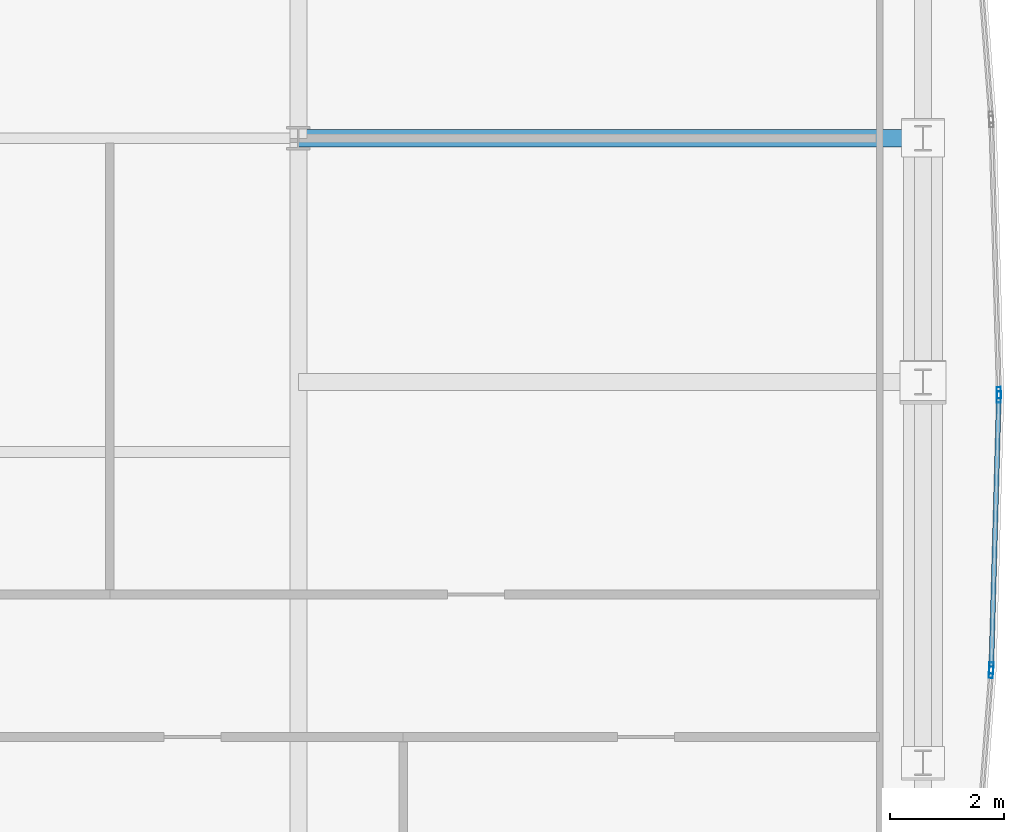
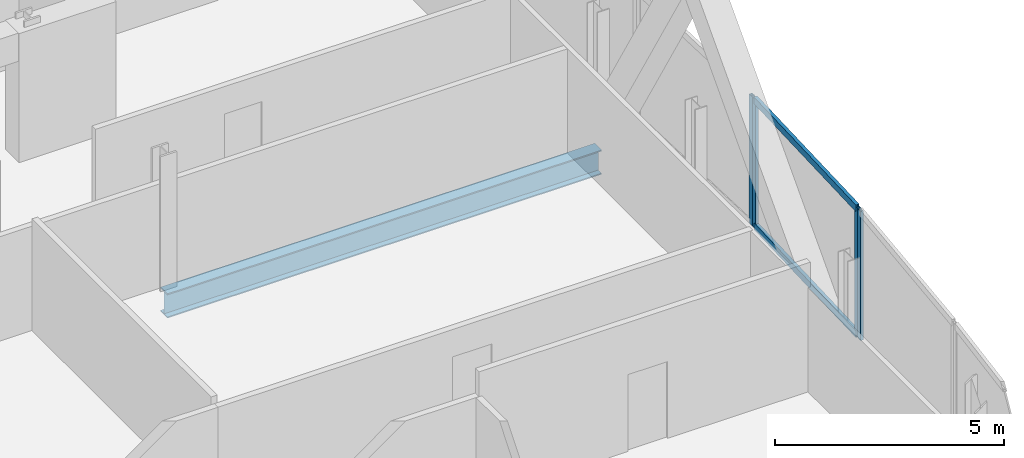
# One storey, part 20 of 32: 6 members, 1 beam, 3 elements without a shape of their own.
"""IFC4 building model written with IfcOpenShell, lengths in metres."""

from ifc_helpers import new_model, si_unit, direction, frame, origin, origin_2d, place, context, subcontext, project, spatial, hollow_rectangle, i_section, extrude, material, material_profile, profile_set, type_object, element, aggregate, save


model = new_model("IFC4")

# Units and contexts
model_context = context("Model", 3, precision=1e-05, world=origin(), true_north=direction((0.0, 1.0)))
body_context = subcontext(model_context, "Body", "Model", "MODEL_VIEW")
ifc_project = project(units=[si_unit("LENGTHUNIT", "METRE"), si_unit("AREAUNIT", "SQUARE_METRE"), si_unit("VOLUMEUNIT", "CUBIC_METRE"), si_unit("PLANEANGLEUNIT", "RADIAN"), si_unit("MASSUNIT", "GRAM", prefix="KILO")], contexts=[model_context])

# Site, building, storey
site_placement = place(None, origin())
site = spatial("IfcSite", under=ifc_project, at=site_placement, CompositionType="ELEMENT")
building_placement = place(site_placement, origin())
building = spatial("IfcBuilding", under=site, at=building_placement, Name="Khoronbel Lancet Exchange", CompositionType="ELEMENT")
storey_placement = place(building_placement, frame((0.0, 0.0, 231.800048828125)))
storey = spatial("IfcBuildingStorey", under=building, at=storey_placement, Name="L59", CompositionType="ELEMENT", Elevation=231.800048828125)

# Beam
ifc_material_1 = material(Name="Steel S355", Category="steel")
ifc_material_profile_1 = material_profile(ifc_material_1, i_section(OverallWidth=0.300048828125, OverallDepth=0.64990234375, WebThickness=0.01611328125, FlangeThickness=0.031005859375, at=origin_2d()), Name="HEB 650")
ifc_profile_set_1 = profile_set([ifc_material_profile_1], Name="Steel S355")
beam_type = type_object("IfcBeamType", Name="BM-BG4", PredefinedType="BEAM", material=ifc_profile_set_1)
beam_placement = place(storey_placement, frame((54.675048828125, 35.699951171875, -0.485107421875), z_axis=(1.0, 0.0, 0.0), x_axis=(0.0, 1.0, 0.0)))
element("IfcBeam", 1, at=beam_placement, inside=storey, type_object=beam_type, Name="Level L59 east lens tie girder LG4E", PredefinedType="BEAM", context=body_context, shape_type="SweptSolid", body=[
    extrude(i_section(OverallWidth=0.300048828125, OverallDepth=0.64990234375, WebThickness=0.01611328125, FlangeThickness=0.031005859375, at=origin_2d()), origin(), (0.0, 0.0, 1.0), 10.954833984375),
])

# Curtain wall, member
ifc_material_2 = material(Name="Low-E Solar Control Insulating Glass", Category="glass")
curtain_wall_type = type_object("IfcCurtainWallType", Name="CW-4", PredefinedType="NOTDEFINED", material=ifc_material_2)
curtain_wall_1_placement = place(storey_placement, origin())
curtain_wall_1 = element("IfcCurtainWall", 2, at=curtain_wall_1_placement, inside=storey, type_object=curtain_wall_type, Name="Unitised curtain wall CW-L59-E19", PredefinedType="NOTDEFINED")
ifc_material_3 = material(Name="Bronze-Anodised Aluminium 6063-T6", Category="aluminium")
ifc_material_profile_2 = material_profile(ifc_material_3, hollow_rectangle(XDim=0.074951171875, YDim=0.199951171875, WallThickness=0.0048828125, at=origin_2d()), Name="ALU MULLION 75x200")
ifc_profile_set_2 = profile_set([ifc_material_profile_2], Name="Bronze-Anodised Aluminium 6063-T6")
member_type_1 = type_object("IfcMemberType", Name="MEM-CWM2", PredefinedType="MULLION", material=ifc_profile_set_2)
member_1_placement = place(storey_placement, frame((66.958984375, 31.237548828125, 0.0), z_axis=(0.0, 0.0, 1.0), x_axis=(0.999615744286, 0.027719375438, 0.0)))
member_1 = element("IfcMember", 3, at=member_1_placement, type_object=member_type_1, Name="CW4 mullion 2", PredefinedType="MULLION", context=body_context, shape_type="SweptSolid", body=[
    extrude(hollow_rectangle(XDim=0.074951171875, YDim=0.199951171875, WallThickness=0.0048828125, at=origin_2d()), origin(), (0.0, 0.0, 1.0), 3.43994140625),
])
aggregate(curtain_wall_1, [member_1])

# Curtain wall, members
curtain_wall_2_placement = place(storey_placement, origin())
curtain_wall_2 = element("IfcCurtainWall", 4, at=curtain_wall_2_placement, inside=storey, type_object=curtain_wall_type, Name="Unitised curtain wall CW-L59-E20", PredefinedType="NOTDEFINED")
member_2_placement = place(storey_placement, frame((66.958984375, 31.16259765625, 0.0), z_axis=(0.0, 0.0, 1.0), x_axis=(0.999615744286, -0.027719375438, 0.0)))
member_2 = element("IfcMember", 5, at=member_2_placement, type_object=member_type_1, Name="CW4 mullion 1", PredefinedType="MULLION", context=body_context, shape_type="SweptSolid", body=[
    extrude(hollow_rectangle(XDim=0.074951171875, YDim=0.199951171875, WallThickness=0.0048828125, at=origin_2d()), origin(), (0.0, 0.0, 1.0), 3.43994140625),
])
member_3_placement = place(storey_placement, frame((66.8271484375, 26.40869140625, 0.0), z_axis=(0.0, 0.0, 1.0), x_axis=(0.999615744286, -0.027719375438, 0.0)))
member_3 = element("IfcMember", 6, at=member_3_placement, type_object=member_type_1, Name="CW4 mullion 2", PredefinedType="MULLION", context=body_context, shape_type="SweptSolid", body=[
    extrude(hollow_rectangle(XDim=0.074951171875, YDim=0.199951171875, WallThickness=0.0048828125, at=origin_2d()), origin(), (0.0, 0.0, 1.0), 3.43994140625),
])

# Curtain wall, member
curtain_wall_3_placement = place(storey_placement, origin())
curtain_wall_3 = element("IfcCurtainWall", 7, at=curtain_wall_3_placement, inside=storey, type_object=curtain_wall_type, Name="Unitised curtain wall CW-L59-E21", PredefinedType="NOTDEFINED")
member_4_placement = place(storey_placement, frame((66.8232421875, 26.333984375, 0.0), z_axis=(0.0, 0.0, 1.0), x_axis=(0.997145938632, -0.075498192491, 0.0)))
member_4 = element("IfcMember", 8, at=member_4_placement, type_object=member_type_1, Name="CW4 mullion 1", PredefinedType="MULLION", context=body_context, shape_type="SweptSolid", body=[
    extrude(hollow_rectangle(XDim=0.074951171875, YDim=0.199951171875, WallThickness=0.0048828125, at=origin_2d()), origin(), (0.0, 0.0, 1.0), 3.43994140625),
])
aggregate(curtain_wall_3, [member_4])

# Member
ifc_material_profile_3 = material_profile(ifc_material_3, hollow_rectangle(XDim=0.0849609375, YDim=0.179931640625, WallThickness=0.0048828125, at=origin_2d()), Name="ALU TRANSOM 85x180")
ifc_profile_set_3 = profile_set([ifc_material_profile_3], Name="Bronze-Anodised Aluminium 6063-T6")
member_type_2 = type_object("IfcMemberType", Name="MEM-CWT1", PredefinedType="USERDEFINED", material=ifc_profile_set_3)
member_5_placement = place(storey_placement, frame((66.9580078125, 31.125, 0.04248046875), z_axis=(-0.027749693616, -0.999614903102, 0.0), x_axis=(0.999614903102, -0.027749693616, 0.0)))
member_5 = element("IfcMember", 9, at=member_5_placement, type_object=member_type_2, Name="CW4 transom 1.1", ObjectType="TRANSOM", PredefinedType="USERDEFINED", context=body_context, shape_type="SweptSolid", body=[
    extrude(hollow_rectangle(XDim=0.0849609375, YDim=0.179931640625, WallThickness=0.0048828125, at=origin_2d()), origin(), (0.0, 0.0, 1.0), 4.680419921875),
])

member_6_placement = place(storey_placement, frame((66.9580078125, 31.125, 3.3974609375), z_axis=(-0.027749693616, -0.999614903102, 0.0), x_axis=(0.999614903102, -0.027749693616, 0.0)))
member_6 = element("IfcMember", 10, at=member_6_placement, type_object=member_type_2, Name="CW4 transom 1.2", ObjectType="TRANSOM", PredefinedType="USERDEFINED", context=body_context, shape_type="SweptSolid", body=[
    extrude(hollow_rectangle(XDim=0.0849609375, YDim=0.179931640625, WallThickness=0.0048828125, at=origin_2d()), origin(), (0.0, 0.0, 1.0), 4.680419921875),
])

aggregate(curtain_wall_2, [member_2, member_3, member_5, member_6])

save(model, "model.ifc")
